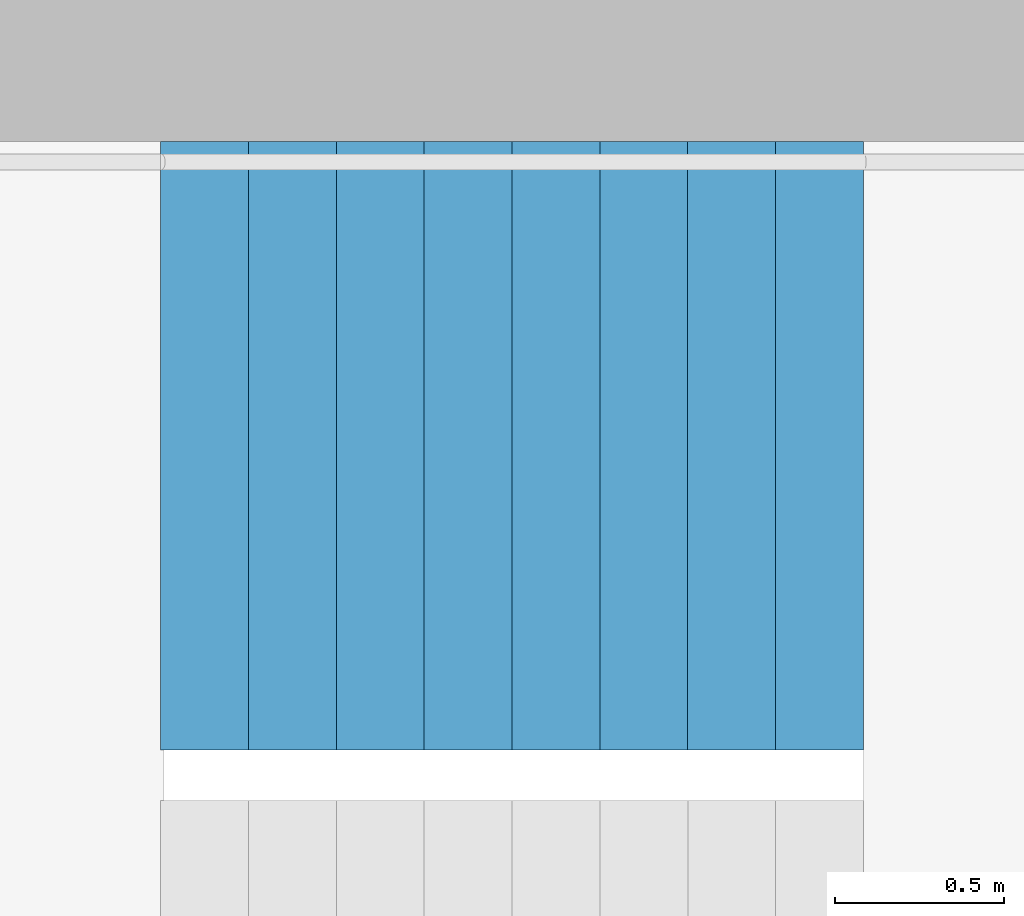
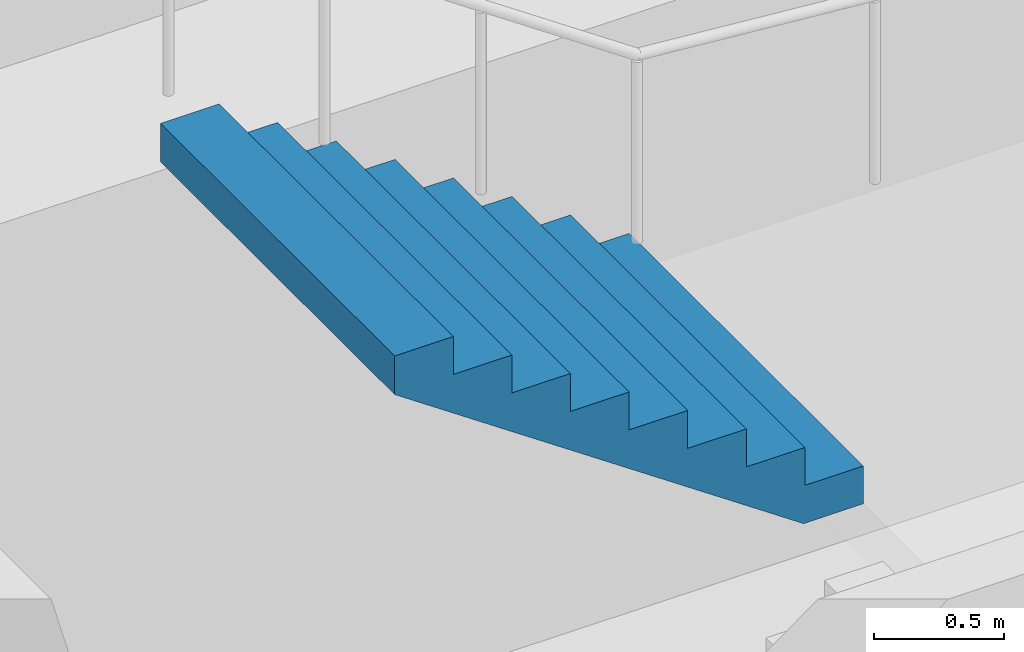
# One storey, part 23 of 28: 1 stair flight, 1 element without a shape of its own.
"""IFC4 building model written with IfcOpenShell, lengths in metres."""

import ifcopenshell
import ifcopenshell.guid

model = None  # the IFC model being written
_history = None  # IfcOwnerHistory: only IFC2X3 demands one
_inside = {}  # id of a spatial element -> (the spatial element, [elements in it])
_under = {}  # id of a project, library or spatial element -> (it, [spatial elements below it])
_declared = {}  # id of a project -> (the project, [libraries it declares])
_typed = {}  # id of a type object -> (the type object, [elements of that type])
_made_of = {}  # id of a material, layer set ... -> (it, [elements and type objects made of it])


def new_model(schema):
    """Start an empty IFC model of exactly this schema.

    Asked for "IFC4X3", IfcOpenShell would pick the latest addendum, in which some entities
    have other attributes; the version numbers below select the first issue.
    IFC2X3 requires an IfcOwnerHistory on every rooted entity: one is made here for all.
    """
    global model, _history
    if schema == "IFC4X3":
        model = ifcopenshell.file(schema_version=(4, 3, 0, 0))
    else:
        model = ifcopenshell.file(schema=schema)
    _inside.clear()
    _under.clear()
    _declared.clear()
    _typed.clear()
    _made_of.clear()
    _history = None
    if model.schema == "IFC2X3":
        org = make("IfcOrganization", Name="unknown")
        user = make(
            "IfcPersonAndOrganization",
            ThePerson=make("IfcPerson", FamilyName="unknown"),
            TheOrganization=org,
        )
        app = make(
            "IfcApplication",
            ApplicationDeveloper=org,
            Version="unknown",
            ApplicationFullName="unknown",
            ApplicationIdentifier="unknown",
        )
        _history = make(
            "IfcOwnerHistory",
            OwningUser=user,
            OwningApplication=app,
            ChangeAction="ADDED",
            CreationDate=0,
        )
    return model


def make(cls, **values):
    """One entity of the class cls with the attributes given. An attribute that is None is left unset."""
    return model.create_entity(
        cls, **{name: value for name, value in values.items() if value is not None}
    )


def rooted(cls, **values):
    """An entity with a GlobalId (a new one), such as an element, a storey or a relation."""
    return make(cls, GlobalId=ifcopenshell.guid.new(), OwnerHistory=_history, **values)


def si_unit(unit_type, name, prefix=None):
    """IfcSIUnit, for example si_unit("LENGTHUNIT", "METRE", prefix="MILLI")."""
    return make("IfcSIUnit", UnitType=unit_type, Prefix=prefix, Name=name)


def assignment(units):
    """IfcUnitAssignment: the units of a project."""
    return None if units is None else make("IfcUnitAssignment", Units=units)


def point(xyz):
    """IfcCartesianPoint."""
    return None if xyz is None else make("IfcCartesianPoint", Coordinates=xyz)


def direction(xyz):
    """IfcDirection."""
    return None if xyz is None else make("IfcDirection", DirectionRatios=xyz)


def frame(location, z_axis=None, x_axis=None):
    """IfcAxis2Placement3D, a coordinate frame: its origin and axes. An axis left out is left unset."""
    return make(
        "IfcAxis2Placement3D",
        Location=point(location),
        Axis=direction(z_axis),
        RefDirection=direction(x_axis),
    )


def origin():
    """The frame at (0, 0, 0) with its axes left unset."""
    return frame((0.0, 0.0, 0.0))


def place(relative_to, where):
    """IfcLocalPlacement: puts the frame where relative to a parent placement (None: the world)."""
    return make(
        "IfcLocalPlacement", PlacementRelTo=relative_to, RelativePlacement=where
    )


def context(
    kind, dimensions, precision=None, world=None, true_north=None, identifier=None
):
    """IfcGeometricRepresentationContext, for example the 3D "Model" context."""
    return make(
        "IfcGeometricRepresentationContext",
        ContextIdentifier=identifier,
        ContextType=kind,
        CoordinateSpaceDimension=dimensions,
        Precision=precision,
        WorldCoordinateSystem=world,
        TrueNorth=true_north,
    )


def subcontext(parent, identifier, kind, view, scale=None):
    """IfcGeometricRepresentationSubContext, for example "Body" below "Model"."""
    return make(
        "IfcGeometricRepresentationSubContext",
        ContextIdentifier=identifier,
        ContextType=kind,
        ParentContext=parent,
        TargetScale=scale,
        TargetView=view,
    )


def project(units=None, contexts=None):
    """IfcProject with its units and contexts."""
    return rooted(
        "IfcProject",
        Name="project",
        RepresentationContexts=contexts,
        UnitsInContext=assignment(units),
    )


def spatial(cls, under=None, at=None, **own):
    """A site, building, storey or space (cls), placed at a placement, below another one or the project."""
    s = rooted(cls, ObjectPlacement=at, **own)
    if under is not None:
        _under.setdefault(under.id(), (under, []))[1].append(s)
    return s


def point_list(points):
    """IfcCartesianPointList2D or 3D."""
    cls = (
        "IfcCartesianPointList2D" if len(points[0]) == 2 else "IfcCartesianPointList3D"
    )
    return make(cls, CoordList=points)


def triangles(points, corners, closed=None, point_numbers=None):
    """IfcTriangulatedFaceSet: each triangle names its three corners, points numbered from 1."""
    return make(
        "IfcTriangulatedFaceSet",
        Coordinates=point_list(points),
        Closed=closed,
        CoordIndex=corners,
        PnIndex=point_numbers,
    )


def shape(context_of_items, identifier, shape_type, items):
    """IfcShapeRepresentation: the items that make up one representation, for example the "Body"."""
    return make(
        "IfcShapeRepresentation",
        ContextOfItems=context_of_items,
        RepresentationIdentifier=identifier,
        RepresentationType=shape_type,
        Items=items,
    )


def material(Name=None, Category=None):
    """IfcMaterial."""
    return make("IfcMaterial", Name=Name, Category=Category)


def made_of(thing, what):
    """Note that an element or type object is made of a material, layer set ...; save() writes the relation."""
    if what is not None:
        _made_of.setdefault(what.id(), (what, []))[1].append(thing)
    return thing


def type_object(cls, material=None, **own):
    """A type object (cls), such as IfcWallType, which elements share."""
    return made_of(rooted(cls, **own), material)


def element(
    cls,
    number,
    at=None,
    inside=None,
    cuts=None,
    type_object=None,
    material=None,
    context=None,
    identifier="Body",
    shape_type=None,
    held_by="IfcProductDefinitionShape",
    body=None,
    shapes=None,
    **own,
):
    """One element of the class cls, such as IfcWall. Its Tag is "e" and its number.

    at: its placement. inside: the storey or other place that contains it. cuts: it is an
    opening in that element (IfcRelVoidsElement). A single representation is given by context,
    identifier, shape_type and body (its items); several are given by shapes. held_by: the class
    of the entity that holds the representations. save() writes the other relations.
    """
    e = rooted(cls, Tag="e%d" % number, ObjectPlacement=at, **own)
    if body is not None:
        shapes = [shape(context, identifier, shape_type, body)]
    if shapes is not None:
        e.Representation = make(held_by, Representations=shapes)
    if inside is not None:
        _inside.setdefault(inside.id(), (inside, []))[1].append(e)
    if cuts is not None:
        rooted(
            "IfcRelVoidsElement", RelatingBuildingElement=cuts, RelatedOpeningElement=e
        )
    if type_object is not None:
        _typed.setdefault(type_object.id(), (type_object, []))[1].append(e)
    return made_of(e, material)


def aggregate(whole, parts):
    """IfcRelAggregates: a whole, such as a stair, and the parts it consists of."""
    return rooted("IfcRelAggregates", RelatingObject=whole, RelatedObjects=parts)


def save(model, path):
    """Write the relations noted so far, then the file.

    IfcRelAggregates (storeys below a building ...), IfcRelContainedInSpatialStructure (elements
    in a storey), IfcRelDefinesByType, IfcRelAssociatesMaterial and IfcRelDeclares: one each for
    every whole, place, type object, material and project.
    """
    for whole, parts in _under.values():
        aggregate(whole, parts)
    for where, things in _inside.values():
        rooted(
            "IfcRelContainedInSpatialStructure",
            RelatedElements=things,
            RelatingStructure=where,
        )
    for kind, things in _typed.values():
        rooted("IfcRelDefinesByType", RelatedObjects=things, RelatingType=kind)
    for what, things in _made_of.values():
        rooted("IfcRelAssociatesMaterial", RelatedObjects=things, RelatingMaterial=what)
    for by, libraries in _declared.values():
        rooted("IfcRelDeclares", RelatingContext=by, RelatedDefinitions=libraries)
    model.write(path)


model = new_model("IFC4")

# Units and contexts
model_context = context("Model", 3, precision=1e-05, world=origin(), true_north=direction((0.0, 1.0)))
body_context = subcontext(model_context, "Body", "Model", "MODEL_VIEW")
ifc_project = project(units=[si_unit("LENGTHUNIT", "METRE"), si_unit("AREAUNIT", "SQUARE_METRE"), si_unit("VOLUMEUNIT", "CUBIC_METRE"), si_unit("PLANEANGLEUNIT", "RADIAN"), si_unit("MASSUNIT", "GRAM", prefix="KILO")], contexts=[model_context])

# Site, building, storey
site_placement = place(None, origin())
site = spatial("IfcSite", under=ifc_project, at=site_placement, CompositionType="ELEMENT")
building_placement = place(site_placement, origin())
building = spatial("IfcBuilding", under=site, at=building_placement, Name="Hakoniwa Tower and Hamabe Station Hall", CompositionType="ELEMENT")
storey_placement = place(building_placement, frame((0.0, 0.0, 42.199951171875)))
storey = spatial("IfcBuildingStorey", under=building, at=storey_placement, Name="L11", CompositionType="ELEMENT", Elevation=42.199951171875)

# Stair, stair flight
ifc_material_1 = material(Name="Concrete C40", Category="concrete")
stair_type = type_object("IfcStairType", Name="ESCAPE STAIR 1800", PredefinedType="HALF_TURN_STAIR", material=ifc_material_1)
stair_placement = place(storey_placement, origin())
stair = element("IfcStair", 1, at=stair_placement, inside=storey, type_object=stair_type, Name="Escape stair ST-1 L11", PredefinedType="HALF_TURN_STAIR")
ifc_material_2 = material(Name="Concrete C40", Category="concrete")
stair_flight_type = type_object("IfcStairFlightType", Name="STAIR FLIGHT 1800", PredefinedType="STRAIGHT", material=ifc_material_2)
stair_flight_placement = place(storey_placement, frame((-22.320068359375, 6.60009765625, 1.60009765625), z_axis=(0.0, 0.0, 1.0), x_axis=(-1.0, 0.0, 0.0)))
stair_flight = element("IfcStairFlight", 2, at=stair_flight_placement, type_object=stair_flight_type, Name="ST-1 flight 2", NumberOfRisers=9, NumberOfTreads=8, PredefinedType="STRAIGHT", RiserHeight=0.177777778, TreadLength=0.26, context=body_context, shape_type="Tessellation", body=[
    triangles([(0.0, 0.89990234375, 0.0), (0.260009765625, 0.89990234375, 0.0), (0.265625, 0.89990234375, 0.0), (0.52001953125, 0.89990234375, 0.174072265625), (0.780029296875, 0.89990234375, 0.351806640625), (1.0400390625, 0.89990234375, 0.529541015625), (1.300048828125, 0.89990234375, 0.707275390625), (1.56005859375, 0.89990234375, 0.885009765625), (1.820068359375, 0.89990234375, 1.062744140625), (2.080078125, 0.89990234375, 1.24072265625), (2.080078125, 0.89990234375, 1.422119140625), (1.820068359375, 0.89990234375, 1.422119140625), (1.820068359375, 0.89990234375, 1.244384765625), (1.56005859375, 0.89990234375, 1.244384765625), (1.56005859375, 0.89990234375, 1.066650390625), (1.300048828125, 0.89990234375, 1.066650390625), (1.300048828125, 0.89990234375, 0.888916015625), (1.0400390625, 0.89990234375, 0.888916015625), (1.0400390625, 0.89990234375, 0.711181640625), (0.780029296875, 0.89990234375, 0.711181640625), (0.780029296875, 0.89990234375, 0.533447265625), (0.52001953125, 0.89990234375, 0.533447265625), (0.52001953125, 0.89990234375, 0.35546875), (0.265625, 0.89990234375, 0.35546875), (0.260009765625, 0.89990234375, 0.35546875), (0.260009765625, 0.89990234375, 0.177734375), (0.0, 0.89990234375, 0.177734375), (0.0, 0.06005859375, 0.0), (0.260009765625, 0.06005859375, 0.0), (0.265625, 0.06005859375, 0.0), (0.52001953125, 0.06005859375, 0.174072265625), (0.780029296875, 0.06005859375, 0.351806640625), (1.0400390625, 0.06005859375, 0.529541015625), (1.300048828125, 0.06005859375, 0.707275390625), (1.56005859375, 0.06005859375, 0.885009765625), (1.820068359375, 0.06005859375, 1.062744140625), (2.080078125, 0.06005859375, 1.24072265625), (2.080078125, 0.06005859375, 1.422119140625), (1.820068359375, 0.06005859375, 1.422119140625), (1.820068359375, 0.06005859375, 1.244384765625), (1.56005859375, 0.06005859375, 1.244384765625), (1.56005859375, 0.06005859375, 1.066650390625), (1.300048828125, 0.06005859375, 1.066650390625), (1.300048828125, 0.06005859375, 0.888916015625), (1.0400390625, 0.06005859375, 0.888916015625), (1.0400390625, 0.06005859375, 0.711181640625), (0.780029296875, 0.06005859375, 0.711181640625), (0.780029296875, 0.06005859375, 0.533447265625), (0.52001953125, 0.06005859375, 0.533447265625), (0.52001953125, 0.06005859375, 0.35546875), (0.265625, 0.06005859375, 0.35546875), (0.260009765625, 0.06005859375, 0.35546875), (0.260009765625, 0.06005859375, 0.177734375), (0.0, 0.06005859375, 0.177734375), (0.0, 0.04296875, 0.0), (0.260009765625, 0.04296875, 0.0), (0.265625, 0.04296875, 0.0), (0.52001953125, 0.04296875, 0.174072265625), (0.780029296875, 0.04296875, 0.351806640625), (1.0400390625, 0.04296875, 0.529541015625), (1.300048828125, 0.04296875, 0.707275390625), (1.56005859375, 0.04296875, 0.885009765625), (1.820068359375, 0.04296875, 1.062744140625), (2.080078125, 0.04296875, 1.24072265625), (2.080078125, 0.04296875, 1.422119140625), (1.820068359375, 0.04296875, 1.422119140625), (1.820068359375, 0.04296875, 1.244384765625), (1.56005859375, 0.04296875, 1.244384765625), (1.56005859375, 0.04296875, 1.066650390625), (1.300048828125, 0.04296875, 1.066650390625), (1.300048828125, 0.04296875, 0.888916015625), (1.0400390625, 0.04296875, 0.888916015625), (1.0400390625, 0.04296875, 0.711181640625), (0.780029296875, 0.04296875, 0.711181640625), (0.780029296875, 0.04296875, 0.533447265625), (0.52001953125, 0.04296875, 0.533447265625), (0.52001953125, 0.04296875, 0.35546875), (0.265625, 0.04296875, 0.35546875), (0.260009765625, 0.04296875, 0.35546875), (0.260009765625, 0.04296875, 0.177734375), (0.0, 0.04296875, 0.177734375), (0.0, 0.025634765625, 0.0), (0.260009765625, 0.025634765625, 0.0), (0.265625, 0.025634765625, 0.0), (0.52001953125, 0.025634765625, 0.174072265625), (0.780029296875, 0.025634765625, 0.351806640625), (1.0400390625, 0.025634765625, 0.529541015625), (1.300048828125, 0.025634765625, 0.707275390625), (1.56005859375, 0.025634765625, 0.885009765625), (1.820068359375, 0.025634765625, 1.062744140625), (2.080078125, 0.025634765625, 1.24072265625), (2.080078125, 0.025634765625, 1.422119140625), (1.820068359375, 0.025634765625, 1.422119140625), (1.820068359375, 0.025634765625, 1.244384765625), (1.56005859375, 0.025634765625, 1.244384765625), (1.56005859375, 0.025634765625, 1.066650390625), (1.300048828125, 0.025634765625, 1.066650390625), (1.300048828125, 0.025634765625, 0.888916015625), (1.0400390625, 0.025634765625, 0.888916015625), (1.0400390625, 0.025634765625, 0.711181640625), (0.780029296875, 0.025634765625, 0.711181640625), (0.780029296875, 0.025634765625, 0.533447265625), (0.52001953125, 0.025634765625, 0.533447265625), (0.52001953125, 0.025634765625, 0.35546875), (0.265625, 0.025634765625, 0.35546875), (0.260009765625, 0.025634765625, 0.35546875), (0.260009765625, 0.025634765625, 0.177734375), (0.0, 0.025634765625, 0.177734375), (0.0, 0.008544921875, 0.0), (0.260009765625, 0.008544921875, 0.0), (0.265625, 0.008544921875, 0.0), (0.52001953125, 0.008544921875, 0.174072265625), (0.780029296875, 0.008544921875, 0.351806640625), (1.0400390625, 0.008544921875, 0.529541015625), (1.300048828125, 0.008544921875, 0.707275390625), (1.56005859375, 0.008544921875, 0.885009765625), (1.820068359375, 0.008544921875, 1.062744140625), (2.080078125, 0.008544921875, 1.24072265625), (2.080078125, 0.008544921875, 1.422119140625), (1.820068359375, 0.008544921875, 1.422119140625), (1.820068359375, 0.008544921875, 1.244384765625), (1.56005859375, 0.008544921875, 1.244384765625), (1.56005859375, 0.008544921875, 1.066650390625), (1.300048828125, 0.008544921875, 1.066650390625), (1.300048828125, 0.008544921875, 0.888916015625), (1.0400390625, 0.008544921875, 0.888916015625), (1.0400390625, 0.008544921875, 0.711181640625), (0.780029296875, 0.008544921875, 0.711181640625), (0.780029296875, 0.008544921875, 0.533447265625), (0.52001953125, 0.008544921875, 0.533447265625), (0.52001953125, 0.008544921875, 0.35546875), (0.265625, 0.008544921875, 0.35546875), (0.260009765625, 0.008544921875, 0.35546875), (0.260009765625, 0.008544921875, 0.177734375), (0.0, 0.008544921875, 0.177734375), (0.0, -0.008544921875, 0.0), (0.260009765625, -0.008544921875, 0.0), (0.265625, -0.008544921875, 0.0), (0.52001953125, -0.008544921875, 0.174072265625), (0.780029296875, -0.008544921875, 0.351806640625), (1.0400390625, -0.008544921875, 0.529541015625), (1.300048828125, -0.008544921875, 0.707275390625), (1.56005859375, -0.008544921875, 0.885009765625), (1.820068359375, -0.008544921875, 1.062744140625), (2.080078125, -0.008544921875, 1.24072265625), (2.080078125, -0.008544921875, 1.422119140625), (1.820068359375, -0.008544921875, 1.422119140625), (1.820068359375, -0.008544921875, 1.244384765625), (1.56005859375, -0.008544921875, 1.244384765625), (1.56005859375, -0.008544921875, 1.066650390625), (1.300048828125, -0.008544921875, 1.066650390625), (1.300048828125, -0.008544921875, 0.888916015625), (1.0400390625, -0.008544921875, 0.888916015625), (1.0400390625, -0.008544921875, 0.711181640625), (0.780029296875, -0.008544921875, 0.711181640625), (0.780029296875, -0.008544921875, 0.533447265625), (0.52001953125, -0.008544921875, 0.533447265625), (0.52001953125, -0.008544921875, 0.35546875), (0.265625, -0.008544921875, 0.35546875), (0.260009765625, -0.008544921875, 0.35546875), (0.260009765625, -0.008544921875, 0.177734375), (0.0, -0.008544921875, 0.177734375), (0.0, -0.025634765625, 0.0), (0.260009765625, -0.025634765625, 0.0), (0.265625, -0.025634765625, 0.0), (0.52001953125, -0.025634765625, 0.174072265625), (0.780029296875, -0.025634765625, 0.351806640625), (1.0400390625, -0.025634765625, 0.529541015625), (1.300048828125, -0.025634765625, 0.707275390625), (1.56005859375, -0.025634765625, 0.885009765625), (1.820068359375, -0.025634765625, 1.062744140625), (2.080078125, -0.025634765625, 1.24072265625), (2.080078125, -0.025634765625, 1.422119140625), (1.820068359375, -0.025634765625, 1.422119140625), (1.820068359375, -0.025634765625, 1.244384765625), (1.56005859375, -0.025634765625, 1.244384765625), (1.56005859375, -0.025634765625, 1.066650390625), (1.300048828125, -0.025634765625, 1.066650390625), (1.300048828125, -0.025634765625, 0.888916015625), (1.0400390625, -0.025634765625, 0.888916015625), (1.0400390625, -0.025634765625, 0.711181640625), (0.780029296875, -0.025634765625, 0.711181640625), (0.780029296875, -0.025634765625, 0.533447265625), (0.52001953125, -0.025634765625, 0.533447265625), (0.52001953125, -0.025634765625, 0.35546875), (0.265625, -0.025634765625, 0.35546875), (0.260009765625, -0.025634765625, 0.35546875), (0.260009765625, -0.025634765625, 0.177734375), (0.0, -0.025634765625, 0.177734375), (0.0, -0.04296875, 0.0), (0.260009765625, -0.04296875, 0.0), (0.265625, -0.04296875, 0.0), (0.52001953125, -0.04296875, 0.174072265625), (0.780029296875, -0.04296875, 0.351806640625), (1.0400390625, -0.04296875, 0.529541015625), (1.300048828125, -0.04296875, 0.707275390625), (1.56005859375, -0.04296875, 0.885009765625), (1.820068359375, -0.04296875, 1.062744140625), (2.080078125, -0.04296875, 1.24072265625), (2.080078125, -0.04296875, 1.422119140625), (1.820068359375, -0.04296875, 1.422119140625), (1.820068359375, -0.04296875, 1.244384765625), (1.56005859375, -0.04296875, 1.244384765625), (1.56005859375, -0.04296875, 1.066650390625), (1.300048828125, -0.04296875, 1.066650390625), (1.300048828125, -0.04296875, 0.888916015625), (1.0400390625, -0.04296875, 0.888916015625), (1.0400390625, -0.04296875, 0.711181640625), (0.780029296875, -0.04296875, 0.711181640625), (0.780029296875, -0.04296875, 0.533447265625), (0.52001953125, -0.04296875, 0.533447265625), (0.52001953125, -0.04296875, 0.35546875), (0.265625, -0.04296875, 0.35546875), (0.260009765625, -0.04296875, 0.35546875), (0.260009765625, -0.04296875, 0.177734375), (0.0, -0.04296875, 0.177734375), (0.0, -0.06005859375, 0.0), (0.260009765625, -0.06005859375, 0.0), (0.265625, -0.06005859375, 0.0), (0.52001953125, -0.06005859375, 0.174072265625), (0.780029296875, -0.06005859375, 0.351806640625), (1.0400390625, -0.06005859375, 0.529541015625), (1.300048828125, -0.06005859375, 0.707275390625), (1.56005859375, -0.06005859375, 0.885009765625), (1.820068359375, -0.06005859375, 1.062744140625), (2.080078125, -0.06005859375, 1.24072265625), (2.080078125, -0.06005859375, 1.422119140625), (1.820068359375, -0.06005859375, 1.422119140625), (1.820068359375, -0.06005859375, 1.244384765625), (1.56005859375, -0.06005859375, 1.244384765625), (1.56005859375, -0.06005859375, 1.066650390625), (1.300048828125, -0.06005859375, 1.066650390625), (1.300048828125, -0.06005859375, 0.888916015625), (1.0400390625, -0.06005859375, 0.888916015625), (1.0400390625, -0.06005859375, 0.711181640625), (0.780029296875, -0.06005859375, 0.711181640625), (0.780029296875, -0.06005859375, 0.533447265625), (0.52001953125, -0.06005859375, 0.533447265625), (0.52001953125, -0.06005859375, 0.35546875), (0.265625, -0.06005859375, 0.35546875), (0.260009765625, -0.06005859375, 0.35546875), (0.260009765625, -0.06005859375, 0.177734375), (0.0, -0.06005859375, 0.177734375), (0.0, -0.89990234375, 0.0), (0.260009765625, -0.89990234375, 0.0), (0.265625, -0.89990234375, 0.0), (0.52001953125, -0.89990234375, 0.174072265625), (0.780029296875, -0.89990234375, 0.351806640625), (1.0400390625, -0.89990234375, 0.529541015625), (1.300048828125, -0.89990234375, 0.707275390625), (1.56005859375, -0.89990234375, 0.885009765625), (1.820068359375, -0.89990234375, 1.062744140625), (2.080078125, -0.89990234375, 1.24072265625), (2.080078125, -0.89990234375, 1.422119140625), (1.820068359375, -0.89990234375, 1.422119140625), (1.820068359375, -0.89990234375, 1.244384765625), (1.56005859375, -0.89990234375, 1.244384765625), (1.56005859375, -0.89990234375, 1.066650390625), (1.300048828125, -0.89990234375, 1.066650390625), (1.300048828125, -0.89990234375, 0.888916015625), (1.0400390625, -0.89990234375, 0.888916015625), (1.0400390625, -0.89990234375, 0.711181640625), (0.780029296875, -0.89990234375, 0.711181640625), (0.780029296875, -0.89990234375, 0.533447265625), (0.52001953125, -0.89990234375, 0.533447265625), (0.52001953125, -0.89990234375, 0.35546875), (0.265625, -0.89990234375, 0.35546875), (0.260009765625, -0.89990234375, 0.35546875), (0.260009765625, -0.89990234375, 0.177734375), (0.0, -0.89990234375, 0.177734375)], [[2, 27, 26], [245, 269, 270], [2, 1, 27], [245, 270, 244], [3, 25, 24], [246, 267, 268], [3, 26, 25], [246, 268, 269], [3, 2, 26], [246, 269, 245], [4, 24, 23], [247, 266, 267], [4, 3, 24], [247, 267, 246], [5, 22, 21], [248, 264, 265], [5, 23, 22], [248, 265, 266], [5, 4, 23], [248, 266, 247], [6, 20, 19], [249, 262, 263], [6, 21, 20], [249, 263, 264], [6, 5, 21], [249, 264, 248], [7, 18, 17], [250, 260, 261], [7, 19, 18], [250, 261, 262], [7, 6, 19], [250, 262, 249], [8, 16, 15], [251, 258, 259], [8, 17, 16], [251, 259, 260], [8, 7, 17], [251, 260, 250], [9, 14, 13], [252, 256, 257], [9, 15, 14], [252, 257, 258], [9, 8, 15], [252, 258, 251], [10, 12, 11], [253, 254, 255], [10, 13, 12], [253, 255, 256], [10, 9, 13], [253, 256, 252], [1, 2, 29], [1, 29, 28], [28, 29, 56], [28, 56, 55], [55, 56, 83], [55, 83, 82], [82, 83, 110], [82, 110, 109], [109, 110, 137], [109, 137, 136], [136, 137, 164], [136, 164, 163], [163, 164, 191], [163, 191, 190], [190, 191, 218], [190, 218, 217], [217, 218, 245], [217, 245, 244], [2, 3, 30], [2, 30, 29], [29, 30, 57], [29, 57, 56], [56, 57, 84], [56, 84, 83], [83, 84, 111], [83, 111, 110], [110, 111, 138], [110, 138, 137], [137, 138, 165], [137, 165, 164], [164, 165, 192], [164, 192, 191], [191, 192, 219], [191, 219, 218], [218, 219, 246], [218, 246, 245], [3, 4, 31], [3, 31, 30], [30, 31, 58], [30, 58, 57], [57, 58, 85], [57, 85, 84], [84, 85, 112], [84, 112, 111], [111, 112, 139], [111, 139, 138], [138, 139, 166], [138, 166, 165], [165, 166, 193], [165, 193, 192], [192, 193, 220], [192, 220, 219], [219, 220, 247], [219, 247, 246], [4, 5, 32], [4, 32, 31], [31, 32, 59], [31, 59, 58], [58, 59, 86], [58, 86, 85], [85, 86, 113], [85, 113, 112], [112, 113, 140], [112, 140, 139], [139, 140, 167], [139, 167, 166], [166, 167, 194], [166, 194, 193], [193, 194, 221], [193, 221, 220], [220, 221, 248], [220, 248, 247], [5, 6, 33], [5, 33, 32], [32, 33, 60], [32, 60, 59], [59, 60, 87], [59, 87, 86], [86, 87, 114], [86, 114, 113], [113, 114, 141], [113, 141, 140], [140, 141, 168], [140, 168, 167], [167, 168, 195], [167, 195, 194], [194, 195, 222], [194, 222, 221], [221, 222, 249], [221, 249, 248], [6, 7, 34], [6, 34, 33], [33, 34, 61], [33, 61, 60], [60, 61, 88], [60, 88, 87], [87, 88, 115], [87, 115, 114], [114, 115, 142], [114, 142, 141], [141, 142, 169], [141, 169, 168], [168, 169, 196], [168, 196, 195], [195, 196, 223], [195, 223, 222], [222, 223, 250], [222, 250, 249], [7, 8, 35], [7, 35, 34], [34, 35, 62], [34, 62, 61], [61, 62, 89], [61, 89, 88], [88, 89, 116], [88, 116, 115], [115, 116, 143], [115, 143, 142], [142, 143, 170], [142, 170, 169], [169, 170, 197], [169, 197, 196], [196, 197, 224], [196, 224, 223], [223, 224, 251], [223, 251, 250], [8, 9, 36], [8, 36, 35], [35, 36, 63], [35, 63, 62], [62, 63, 90], [62, 90, 89], [89, 90, 117], [89, 117, 116], [116, 117, 144], [116, 144, 143], [143, 144, 171], [143, 171, 170], [170, 171, 198], [170, 198, 197], [197, 198, 225], [197, 225, 224], [224, 225, 252], [224, 252, 251], [9, 10, 37], [9, 37, 36], [36, 37, 64], [36, 64, 63], [63, 64, 91], [63, 91, 90], [90, 91, 118], [90, 118, 117], [117, 118, 145], [117, 145, 144], [144, 145, 172], [144, 172, 171], [171, 172, 199], [171, 199, 198], [198, 199, 226], [198, 226, 225], [225, 226, 253], [225, 253, 252], [10, 11, 38], [10, 38, 37], [37, 38, 65], [37, 65, 64], [64, 65, 92], [64, 92, 91], [91, 92, 119], [91, 119, 118], [118, 119, 146], [118, 146, 145], [145, 146, 173], [145, 173, 172], [172, 173, 200], [172, 200, 199], [199, 200, 227], [199, 227, 226], [226, 227, 254], [226, 254, 253], [11, 12, 39], [11, 39, 38], [38, 39, 66], [38, 66, 65], [65, 66, 93], [65, 93, 92], [92, 93, 120], [92, 120, 119], [119, 120, 147], [119, 147, 146], [146, 147, 174], [146, 174, 173], [173, 174, 201], [173, 201, 200], [200, 201, 228], [200, 228, 227], [227, 228, 255], [227, 255, 254], [12, 13, 40], [12, 40, 39], [39, 40, 67], [39, 67, 66], [66, 67, 94], [66, 94, 93], [93, 94, 121], [93, 121, 120], [120, 121, 148], [120, 148, 147], [147, 148, 175], [147, 175, 174], [174, 175, 202], [174, 202, 201], [201, 202, 229], [201, 229, 228], [228, 229, 256], [228, 256, 255], [13, 14, 41], [13, 41, 40], [40, 41, 68], [40, 68, 67], [67, 68, 95], [67, 95, 94], [94, 95, 122], [94, 122, 121], [121, 122, 149], [121, 149, 148], [148, 149, 176], [148, 176, 175], [175, 176, 203], [175, 203, 202], [202, 203, 230], [202, 230, 229], [229, 230, 257], [229, 257, 256], [14, 15, 42], [14, 42, 41], [41, 42, 69], [41, 69, 68], [68, 69, 96], [68, 96, 95], [95, 96, 123], [95, 123, 122], [122, 123, 150], [122, 150, 149], [149, 150, 177], [149, 177, 176], [176, 177, 204], [176, 204, 203], [203, 204, 231], [203, 231, 230], [230, 231, 258], [230, 258, 257], [15, 16, 43], [15, 43, 42], [42, 43, 70], [42, 70, 69], [69, 70, 97], [69, 97, 96], [96, 97, 124], [96, 124, 123], [123, 124, 151], [123, 151, 150], [150, 151, 178], [150, 178, 177], [177, 178, 205], [177, 205, 204], [204, 205, 232], [204, 232, 231], [231, 232, 259], [231, 259, 258], [16, 17, 44], [16, 44, 43], [43, 44, 71], [43, 71, 70], [70, 71, 98], [70, 98, 97], [97, 98, 125], [97, 125, 124], [124, 125, 152], [124, 152, 151], [151, 152, 179], [151, 179, 178], [178, 179, 206], [178, 206, 205], [205, 206, 233], [205, 233, 232], [232, 233, 260], [232, 260, 259], [17, 18, 45], [17, 45, 44], [44, 45, 72], [44, 72, 71], [71, 72, 99], [71, 99, 98], [98, 99, 126], [98, 126, 125], [125, 126, 153], [125, 153, 152], [152, 153, 180], [152, 180, 179], [179, 180, 207], [179, 207, 206], [206, 207, 234], [206, 234, 233], [233, 234, 261], [233, 261, 260], [18, 19, 46], [18, 46, 45], [45, 46, 73], [45, 73, 72], [72, 73, 100], [72, 100, 99], [99, 100, 127], [99, 127, 126], [126, 127, 154], [126, 154, 153], [153, 154, 181], [153, 181, 180], [180, 181, 208], [180, 208, 207], [207, 208, 235], [207, 235, 234], [234, 235, 262], [234, 262, 261], [19, 20, 47], [19, 47, 46], [46, 47, 74], [46, 74, 73], [73, 74, 101], [73, 101, 100], [100, 101, 128], [100, 128, 127], [127, 128, 155], [127, 155, 154], [154, 155, 182], [154, 182, 181], [181, 182, 209], [181, 209, 208], [208, 209, 236], [208, 236, 235], [235, 236, 263], [235, 263, 262], [20, 21, 48], [20, 48, 47], [47, 48, 75], [47, 75, 74], [74, 75, 102], [74, 102, 101], [101, 102, 129], [101, 129, 128], [128, 129, 156], [128, 156, 155], [155, 156, 183], [155, 183, 182], [182, 183, 210], [182, 210, 209], [209, 210, 237], [209, 237, 236], [236, 237, 264], [236, 264, 263], [21, 22, 49], [21, 49, 48], [48, 49, 76], [48, 76, 75], [75, 76, 103], [75, 103, 102], [102, 103, 130], [102, 130, 129], [129, 130, 157], [129, 157, 156], [156, 157, 184], [156, 184, 183], [183, 184, 211], [183, 211, 210], [210, 211, 238], [210, 238, 237], [237, 238, 265], [237, 265, 264], [22, 23, 50], [22, 50, 49], [49, 50, 77], [49, 77, 76], [76, 77, 104], [76, 104, 103], [103, 104, 131], [103, 131, 130], [130, 131, 158], [130, 158, 157], [157, 158, 185], [157, 185, 184], [184, 185, 212], [184, 212, 211], [211, 212, 239], [211, 239, 238], [238, 239, 266], [238, 266, 265], [23, 24, 51], [23, 51, 50], [50, 51, 78], [50, 78, 77], [77, 78, 105], [77, 105, 104], [104, 105, 132], [104, 132, 131], [131, 132, 159], [131, 159, 158], [158, 159, 186], [158, 186, 185], [185, 186, 213], [185, 213, 212], [212, 213, 240], [212, 240, 239], [239, 240, 267], [239, 267, 266], [24, 25, 52], [24, 52, 51], [51, 52, 79], [51, 79, 78], [78, 79, 106], [78, 106, 105], [105, 106, 133], [105, 133, 132], [132, 133, 160], [132, 160, 159], [159, 160, 187], [159, 187, 186], [186, 187, 214], [186, 214, 213], [213, 214, 241], [213, 241, 240], [240, 241, 268], [240, 268, 267], [25, 26, 53], [25, 53, 52], [52, 53, 80], [52, 80, 79], [79, 80, 107], [79, 107, 106], [106, 107, 134], [106, 134, 133], [133, 134, 161], [133, 161, 160], [160, 161, 188], [160, 188, 187], [187, 188, 215], [187, 215, 214], [214, 215, 242], [214, 242, 241], [241, 242, 269], [241, 269, 268], [26, 27, 54], [26, 54, 53], [53, 54, 81], [53, 81, 80], [80, 81, 108], [80, 108, 107], [107, 108, 135], [107, 135, 134], [134, 135, 162], [134, 162, 161], [161, 162, 189], [161, 189, 188], [188, 189, 216], [188, 216, 215], [215, 216, 243], [215, 243, 242], [242, 243, 270], [242, 270, 269], [27, 1, 28], [27, 28, 54], [54, 28, 55], [54, 55, 81], [81, 55, 82], [81, 82, 108], [108, 82, 109], [108, 109, 135], [135, 109, 136], [135, 136, 162], [162, 136, 163], [162, 163, 189], [189, 163, 190], [189, 190, 216], [216, 190, 217], [216, 217, 243], [243, 217, 244], [243, 244, 270]], closed=True),
])
aggregate(stair, [stair_flight])

save(model, "model.ifc")
